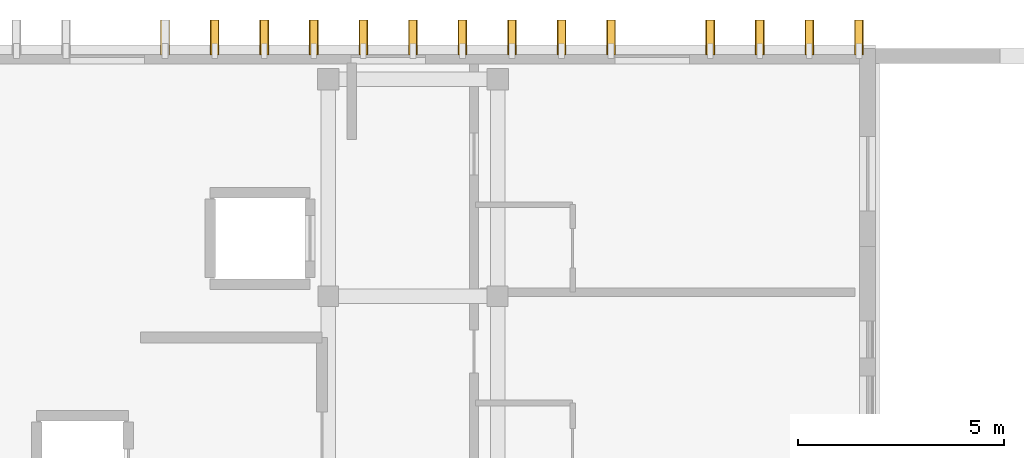
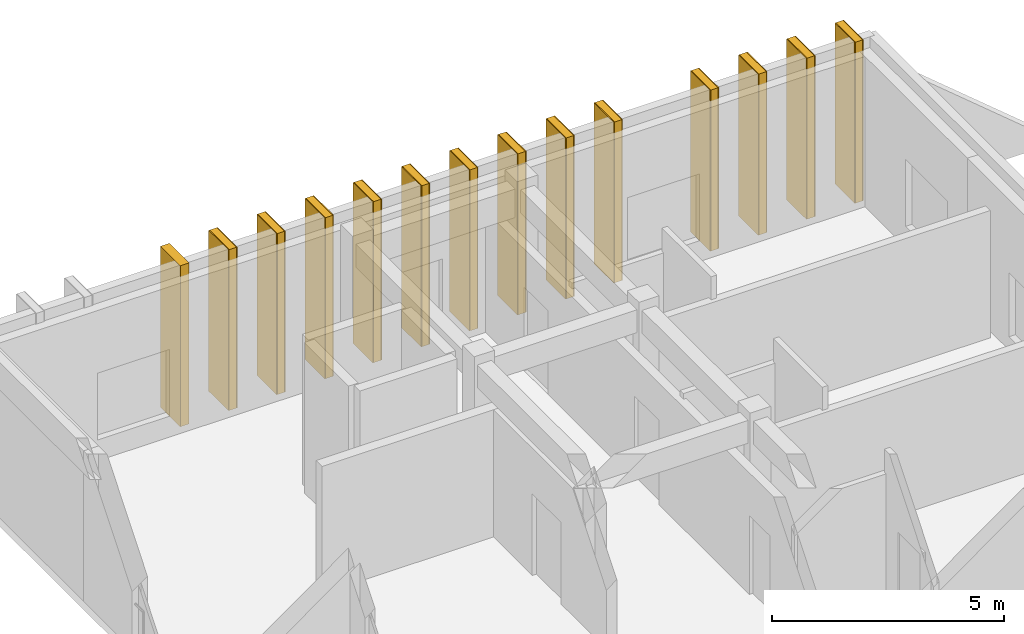
# One storey, part 7 of 7: 14 coverings, 13 shading devices.
"""IFC4 building model written with IfcOpenShell, lengths in metres."""

from ifc_helpers import new_model, si_unit, direction, frame, origin, origin_2d, place, context, subcontext, project, spatial, rectangle, extrude, material, layer, layer_set, type_object, element, save


model = new_model("IFC4")

# Units and contexts
model_context = context("Model", 3, precision=1e-05, world=origin(), true_north=direction((0.0, 1.0)))
body_context = subcontext(model_context, "Body", "Model", "MODEL_VIEW")
ifc_project = project(units=[si_unit("LENGTHUNIT", "METRE"), si_unit("AREAUNIT", "SQUARE_METRE"), si_unit("VOLUMEUNIT", "CUBIC_METRE"), si_unit("PLANEANGLEUNIT", "RADIAN"), si_unit("MASSUNIT", "GRAM", prefix="KILO")], contexts=[model_context])

# Site, building, storey
site_placement = place(None, origin())
site = spatial("IfcSite", under=ifc_project, at=site_placement, CompositionType="ELEMENT")
building_placement = place(site_placement, origin())
building = spatial("IfcBuilding", under=site, at=building_placement, Name="Nakhvara Creek Congress Hotel", CompositionType="ELEMENT")
storey_placement = place(building_placement, frame((0.0, 0.0, 50.39990234375)))
storey = spatial("IfcBuildingStorey", under=building, at=storey_placement, Name="L12", CompositionType="ELEMENT", Elevation=50.39990234375)

# Coverings
ifc_material_1 = material(Name="Honed pale Omani limestone architectural cladding", Category="masonry")
ifc_layer = layer(ifc_material_1, 0.219970703125)
ifc_layer_set = layer_set([ifc_layer], Name="Honed pale Omani limestone architectural cladding")
covering_type = type_object("IfcCoveringType", Name="COV-FIN-850", PredefinedType="CLADDING", material=ifc_layer_set)
for number, where, z_axis, x_axis, name in (
    (1, (158.39990234375, 126.264892578125, 0.0), (0.0, 0.0, 1.0), (1.0, 0.0, 0.0), "Pale Limestone Fin Cladding CF01-2586"),
    (2, (159.60009765625, 126.264892578125, 0.0), (0.0, 0.0, 1.0), (1.0, 0.0, 0.0), "Pale Limestone Fin Cladding CF01-2588"),
    (3, (160.800048828125, 126.264892578125, 0.0), (0.0, 0.0, 1.0), (1.0, 0.0, 0.0), "Pale Limestone Fin Cladding CF01-2590"),
    (4, (162.0, 126.264892578125, 0.0), (0.0, 0.0, 1.0), (1.0, 0.0, 0.0), "Pale Limestone Fin Cladding CF01-2592"),
    (5, (163.199951171875, 126.264892578125, 0.0), (0.0, 0.0, 1.0), (1.0, 0.0, 0.0), "Pale Limestone Fin Cladding CF01-2594"),
    (6, (164.39990234375, 126.264892578125, 0.0), (0.0, 0.0, 1.0), (1.0, 0.0, 0.0), "Pale Limestone Fin Cladding CF01-2596"),
    (7, (165.60009765625, 126.264892578125, 0.0), (0.0, 0.0, 1.0), (1.0, 0.0, 0.0), "Pale Limestone Fin Cladding CF01-2597"),
    (8, (166.800048828125, 126.264892578125, 0.0), (0.0, 0.0, 1.0), (1.0, 0.0, 0.0), "Pale Limestone Fin Cladding CF01-2598"),
    (9, (168.0, 126.264892578125, 0.0), (0.0, 0.0, 1.0), (1.0, 0.0, 0.0), "Pale Limestone Fin Cladding CF01-2600"),
    (10, (169.199951171875, 126.264892578125, 0.0), (0.0, 0.0, 1.0), (1.0, 0.0, 0.0), "Pale Limestone Fin Cladding CF01-2602"),
    (11, (171.60009765625, 126.264892578125, 0.0), (0.0, 0.0, 1.0), (1.0, 0.0, 0.0), "Pale Limestone Fin Cladding CF01-2605"),
    (12, (172.800048828125, 126.264892578125, 0.0), (0.0, 0.0, 1.0), (1.0, 0.0, 0.0), "Pale Limestone Fin Cladding CF01-2606"),
    (13, (174.0, 126.264892578125, 0.0), (0.0, 0.0, 1.0), (1.0, 0.0, 0.0), "Pale Limestone Fin Cladding CF01-2608"),
    (14, (175.199951171875, 126.264892578125, 0.0), (0.0, 0.0, 1.0), (1.0, 0.0, 0.0), "Pale Limestone Fin Cladding CF01-2610"),
):
    element("IfcCovering", number, at=place(storey_placement, frame(where, z_axis=z_axis, x_axis=x_axis)), inside=storey, type_object=covering_type, Name=name, PredefinedType="CLADDING", context=body_context, shape_type="SweptSolid", body=[
        extrude(rectangle(XDim=0.219970703125, YDim=0.85009765625, at=origin_2d()), origin(), (0.0, 0.0, 1.0), 4.239990234375),
    ])

# Shading devices
ifc_material_2 = material(Name="Honed pale Omani limestone cladding on stainless steel spine", Category="masonry")
shading_device_type = type_object("IfcShadingDeviceType", Name="SHD-FIN-850X3600", PredefinedType="USERDEFINED", material=ifc_material_2)
for number, where, z_axis, x_axis, name in (
    (15, (159.60009765625, 126.264892578125, 0.0), (0.0, 0.0, 1.0), (1.0, 0.0, 0.0), "Limestone Solar Fin FN01-2453"),
    (16, (160.800048828125, 126.264892578125, 0.0), (0.0, 0.0, 1.0), (1.0, 0.0, 0.0), "Limestone Solar Fin FN01-2455"),
    (17, (162.0, 126.264892578125, 0.0), (0.0, 0.0, 1.0), (1.0, 0.0, 0.0), "Limestone Solar Fin FN01-2457"),
    (18, (163.199951171875, 126.264892578125, 0.0), (0.0, 0.0, 1.0), (1.0, 0.0, 0.0), "Limestone Solar Fin FN01-2459"),
    (19, (164.39990234375, 126.264892578125, 0.0), (0.0, 0.0, 1.0), (1.0, 0.0, 0.0), "Limestone Solar Fin FN01-2461"),
    (20, (165.60009765625, 126.264892578125, 0.0), (0.0, 0.0, 1.0), (1.0, 0.0, 0.0), "Limestone Solar Fin FN01-2462"),
    (21, (166.800048828125, 126.264892578125, 0.0), (0.0, 0.0, 1.0), (1.0, 0.0, 0.0), "Limestone Solar Fin FN01-2463"),
    (22, (168.0, 126.264892578125, 0.0), (0.0, 0.0, 1.0), (1.0, 0.0, 0.0), "Limestone Solar Fin FN01-2465"),
    (23, (169.199951171875, 126.264892578125, 0.0), (0.0, 0.0, 1.0), (1.0, 0.0, 0.0), "Limestone Solar Fin FN01-2467"),
    (24, (171.60009765625, 126.264892578125, 0.0), (0.0, 0.0, 1.0), (1.0, 0.0, 0.0), "Limestone Solar Fin FN01-2470"),
    (25, (172.800048828125, 126.264892578125, 0.0), (0.0, 0.0, 1.0), (1.0, 0.0, 0.0), "Limestone Solar Fin FN01-2471"),
    (26, (174.0, 126.264892578125, 0.0), (0.0, 0.0, 1.0), (1.0, 0.0, 0.0), "Limestone Solar Fin FN01-2473"),
    (27, (175.199951171875, 126.264892578125, 0.0), (0.0, 0.0, 1.0), (1.0, 0.0, 0.0), "Limestone Solar Fin FN01-2475"),
):
    element("IfcShadingDevice", number, at=place(storey_placement, frame(where, z_axis=z_axis, x_axis=x_axis)), inside=storey, type_object=shading_device_type, Name=name, ObjectType="FIN", PredefinedType="USERDEFINED", context=body_context, shape_type="SweptSolid", body=[
        extrude(rectangle(XDim=0.179931640625, YDim=0.85009765625, at=origin_2d()), origin(), (0.0, 0.0, 1.0), 4.239990234375),
    ])

save(model, "model.ifc")
